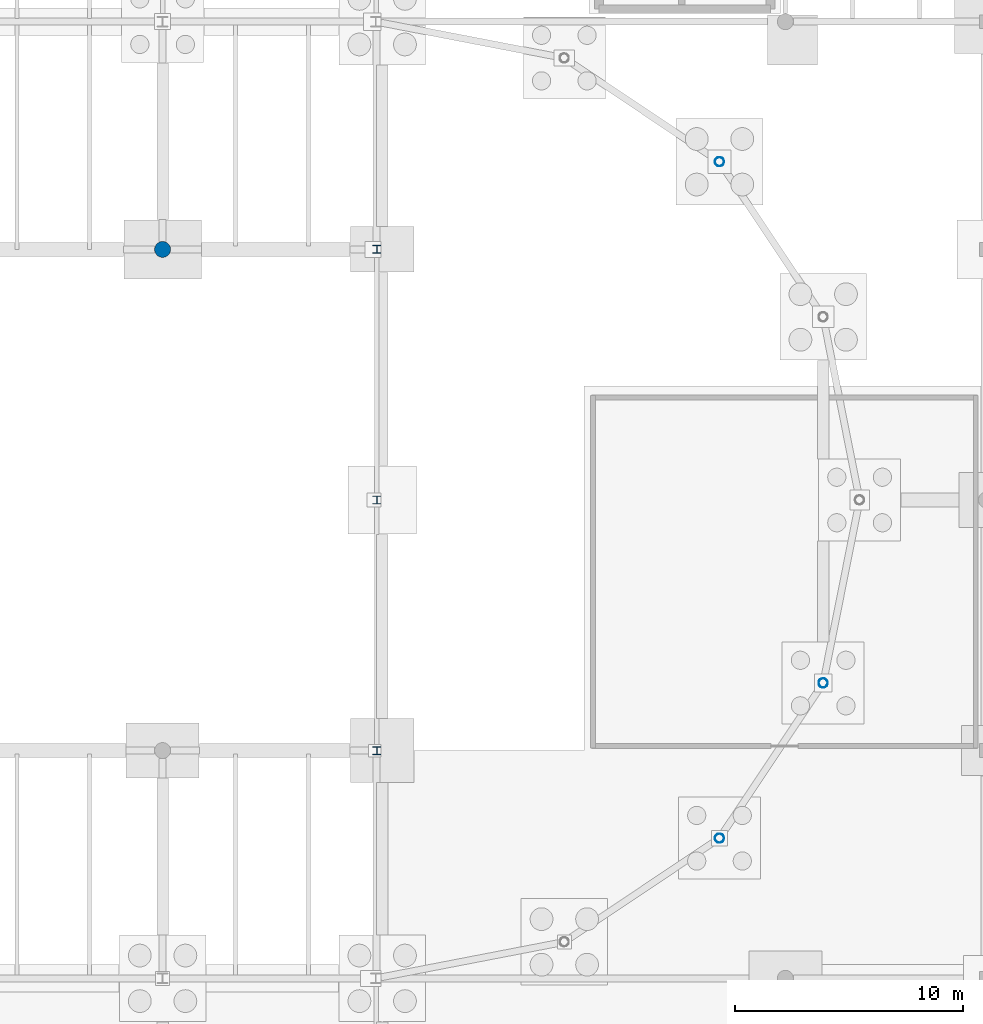
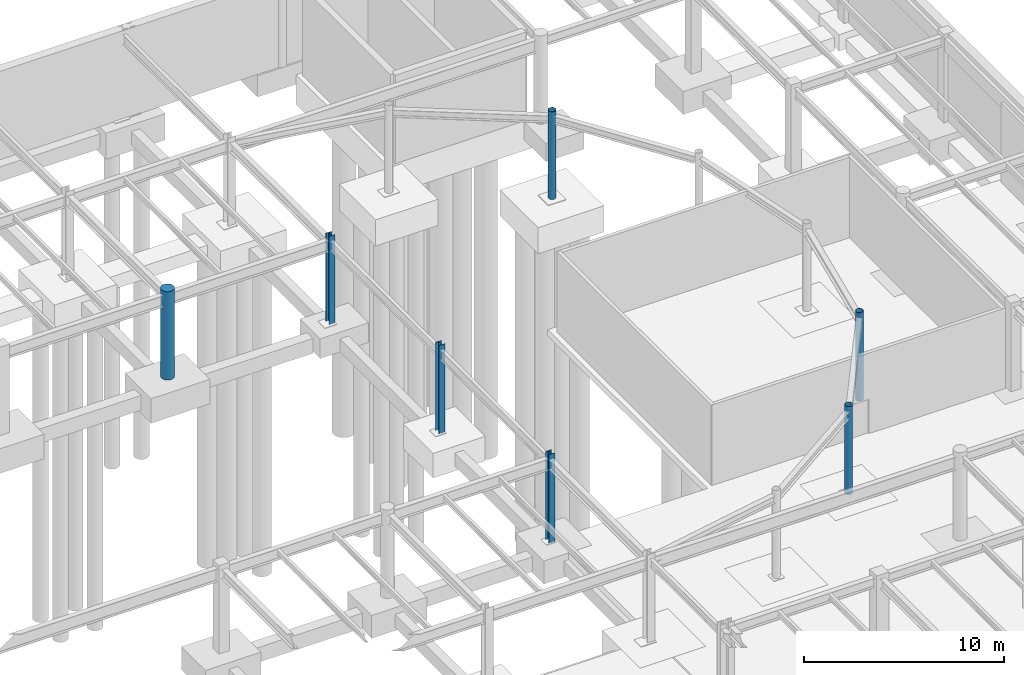
# One storey, part 27 of 50: 7 columns.
"""IFC4 building model written with IfcOpenShell, lengths in metres."""

import ifcopenshell
import ifcopenshell.guid

model = None  # the IFC model being written
_history = None  # IfcOwnerHistory: only IFC2X3 demands one
_inside = {}  # id of a spatial element -> (the spatial element, [elements in it])
_under = {}  # id of a project, library or spatial element -> (it, [spatial elements below it])
_declared = {}  # id of a project -> (the project, [libraries it declares])
_typed = {}  # id of a type object -> (the type object, [elements of that type])
_made_of = {}  # id of a material, layer set ... -> (it, [elements and type objects made of it])


def new_model(schema):
    """Start an empty IFC model of exactly this schema.

    Asked for "IFC4X3", IfcOpenShell would pick the latest addendum, in which some entities
    have other attributes; the version numbers below select the first issue.
    IFC2X3 requires an IfcOwnerHistory on every rooted entity: one is made here for all.
    """
    global model, _history
    if schema == "IFC4X3":
        model = ifcopenshell.file(schema_version=(4, 3, 0, 0))
    else:
        model = ifcopenshell.file(schema=schema)
    _inside.clear()
    _under.clear()
    _declared.clear()
    _typed.clear()
    _made_of.clear()
    _history = None
    if model.schema == "IFC2X3":
        org = make("IfcOrganization", Name="unknown")
        user = make(
            "IfcPersonAndOrganization",
            ThePerson=make("IfcPerson", FamilyName="unknown"),
            TheOrganization=org,
        )
        app = make(
            "IfcApplication",
            ApplicationDeveloper=org,
            Version="unknown",
            ApplicationFullName="unknown",
            ApplicationIdentifier="unknown",
        )
        _history = make(
            "IfcOwnerHistory",
            OwningUser=user,
            OwningApplication=app,
            ChangeAction="ADDED",
            CreationDate=0,
        )
    return model


def make(cls, **values):
    """One entity of the class cls with the attributes given. An attribute that is None is left unset."""
    return model.create_entity(
        cls, **{name: value for name, value in values.items() if value is not None}
    )


def rooted(cls, **values):
    """An entity with a GlobalId (a new one), such as an element, a storey or a relation."""
    return make(cls, GlobalId=ifcopenshell.guid.new(), OwnerHistory=_history, **values)


def si_unit(unit_type, name, prefix=None):
    """IfcSIUnit, for example si_unit("LENGTHUNIT", "METRE", prefix="MILLI")."""
    return make("IfcSIUnit", UnitType=unit_type, Prefix=prefix, Name=name)


def assignment(units):
    """IfcUnitAssignment: the units of a project."""
    return None if units is None else make("IfcUnitAssignment", Units=units)


def point(xyz):
    """IfcCartesianPoint."""
    return None if xyz is None else make("IfcCartesianPoint", Coordinates=xyz)


def direction(xyz):
    """IfcDirection."""
    return None if xyz is None else make("IfcDirection", DirectionRatios=xyz)


def frame(location, z_axis=None, x_axis=None):
    """IfcAxis2Placement3D, a coordinate frame: its origin and axes. An axis left out is left unset."""
    return make(
        "IfcAxis2Placement3D",
        Location=point(location),
        Axis=direction(z_axis),
        RefDirection=direction(x_axis),
    )


def frame_2d(location, x_axis=None):
    """IfcAxis2Placement2D, a coordinate frame in the plane: its origin and x axis."""
    return make(
        "IfcAxis2Placement2D", Location=point(location), RefDirection=direction(x_axis)
    )


def origin():
    """The frame at (0, 0, 0) with its axes left unset."""
    return frame((0.0, 0.0, 0.0))


def origin_2d():
    """The frame at (0, 0) in the plane with its x axis left unset."""
    return frame_2d((0.0, 0.0))


def place(relative_to, where):
    """IfcLocalPlacement: puts the frame where relative to a parent placement (None: the world)."""
    return make(
        "IfcLocalPlacement", PlacementRelTo=relative_to, RelativePlacement=where
    )


def context(
    kind, dimensions, precision=None, world=None, true_north=None, identifier=None
):
    """IfcGeometricRepresentationContext, for example the 3D "Model" context."""
    return make(
        "IfcGeometricRepresentationContext",
        ContextIdentifier=identifier,
        ContextType=kind,
        CoordinateSpaceDimension=dimensions,
        Precision=precision,
        WorldCoordinateSystem=world,
        TrueNorth=true_north,
    )


def subcontext(parent, identifier, kind, view, scale=None):
    """IfcGeometricRepresentationSubContext, for example "Body" below "Model"."""
    return make(
        "IfcGeometricRepresentationSubContext",
        ContextIdentifier=identifier,
        ContextType=kind,
        ParentContext=parent,
        TargetScale=scale,
        TargetView=view,
    )


def project(units=None, contexts=None):
    """IfcProject with its units and contexts."""
    return rooted(
        "IfcProject",
        Name="project",
        RepresentationContexts=contexts,
        UnitsInContext=assignment(units),
    )


def spatial(cls, under=None, at=None, **own):
    """A site, building, storey or space (cls), placed at a placement, below another one or the project."""
    s = rooted(cls, ObjectPlacement=at, **own)
    if under is not None:
        _under.setdefault(under.id(), (under, []))[1].append(s)
    return s


def profile(cls, at=None, kind="AREA", **sizes):
    """A parametric profile (cls). Its sizes go by their IFC names, for example OverallWidth=200.0."""
    return make(cls, ProfileType=kind, Position=at, **sizes)


def circle(**sizes):
    """IfcCircleProfileDef."""
    return profile("IfcCircleProfileDef", **sizes)


def hollow_circle(**sizes):
    """IfcCircleHollowProfileDef."""
    return profile("IfcCircleHollowProfileDef", **sizes)


def i_section(**sizes):
    """IfcIShapeProfileDef."""
    return profile("IfcIShapeProfileDef", **sizes)


def extrude(swept, where, along, depth):
    """IfcExtrudedAreaSolid: the profile swept, set in the frame where, extruded along a direction by depth."""
    return make(
        "IfcExtrudedAreaSolid",
        SweptArea=swept,
        Position=where,
        ExtrudedDirection=direction(along),
        Depth=depth,
    )


def shape(context_of_items, identifier, shape_type, items):
    """IfcShapeRepresentation: the items that make up one representation, for example the "Body"."""
    return make(
        "IfcShapeRepresentation",
        ContextOfItems=context_of_items,
        RepresentationIdentifier=identifier,
        RepresentationType=shape_type,
        Items=items,
    )


def material(Name=None, Category=None):
    """IfcMaterial."""
    return make("IfcMaterial", Name=Name, Category=Category)


def material_profile(
    of_material, cross_section, Name=None, Category=None, Priority=None
):
    """IfcMaterialProfile: a cross section and its material."""
    return make(
        "IfcMaterialProfile",
        Name=Name,
        Material=of_material,
        Profile=cross_section,
        Priority=Priority,
        Category=Category,
    )


def profile_set(profiles, Name=None, composite=None):
    """IfcMaterialProfileSet."""
    return make(
        "IfcMaterialProfileSet",
        Name=Name,
        MaterialProfiles=profiles,
        CompositeProfile=composite,
    )


def made_of(thing, what):
    """Note that an element or type object is made of a material, layer set ...; save() writes the relation."""
    if what is not None:
        _made_of.setdefault(what.id(), (what, []))[1].append(thing)
    return thing


def type_object(cls, material=None, **own):
    """A type object (cls), such as IfcWallType, which elements share."""
    return made_of(rooted(cls, **own), material)


def element(
    cls,
    number,
    at=None,
    inside=None,
    cuts=None,
    type_object=None,
    material=None,
    context=None,
    identifier="Body",
    shape_type=None,
    held_by="IfcProductDefinitionShape",
    body=None,
    shapes=None,
    **own,
):
    """One element of the class cls, such as IfcWall. Its Tag is "e" and its number.

    at: its placement. inside: the storey or other place that contains it. cuts: it is an
    opening in that element (IfcRelVoidsElement). A single representation is given by context,
    identifier, shape_type and body (its items); several are given by shapes. held_by: the class
    of the entity that holds the representations. save() writes the other relations.
    """
    e = rooted(cls, Tag="e%d" % number, ObjectPlacement=at, **own)
    if body is not None:
        shapes = [shape(context, identifier, shape_type, body)]
    if shapes is not None:
        e.Representation = make(held_by, Representations=shapes)
    if inside is not None:
        _inside.setdefault(inside.id(), (inside, []))[1].append(e)
    if cuts is not None:
        rooted(
            "IfcRelVoidsElement", RelatingBuildingElement=cuts, RelatedOpeningElement=e
        )
    if type_object is not None:
        _typed.setdefault(type_object.id(), (type_object, []))[1].append(e)
    return made_of(e, material)


def aggregate(whole, parts):
    """IfcRelAggregates: a whole, such as a stair, and the parts it consists of."""
    return rooted("IfcRelAggregates", RelatingObject=whole, RelatedObjects=parts)


def save(model, path):
    """Write the relations noted so far, then the file.

    IfcRelAggregates (storeys below a building ...), IfcRelContainedInSpatialStructure (elements
    in a storey), IfcRelDefinesByType, IfcRelAssociatesMaterial and IfcRelDeclares: one each for
    every whole, place, type object, material and project.
    """
    for whole, parts in _under.values():
        aggregate(whole, parts)
    for where, things in _inside.values():
        rooted(
            "IfcRelContainedInSpatialStructure",
            RelatedElements=things,
            RelatingStructure=where,
        )
    for kind, things in _typed.values():
        rooted("IfcRelDefinesByType", RelatedObjects=things, RelatingType=kind)
    for what, things in _made_of.values():
        rooted("IfcRelAssociatesMaterial", RelatedObjects=things, RelatingMaterial=what)
    for by, libraries in _declared.values():
        rooted("IfcRelDeclares", RelatingContext=by, RelatedDefinitions=libraries)
    model.write(path)


model = new_model("IFC4")

# Units and contexts
model_context = context("Model", 3, precision=1e-05, world=origin(), true_north=direction((0.0, 1.0)))
body_context = subcontext(model_context, "Body", "Model", "MODEL_VIEW")
ifc_project = project(units=[si_unit("LENGTHUNIT", "METRE"), si_unit("AREAUNIT", "SQUARE_METRE"), si_unit("VOLUMEUNIT", "CUBIC_METRE"), si_unit("PLANEANGLEUNIT", "RADIAN"), si_unit("MASSUNIT", "GRAM", prefix="KILO")], contexts=[model_context])

# Site, building, storey
site_placement = place(None, origin())
site = spatial("IfcSite", under=ifc_project, at=site_placement, CompositionType="ELEMENT")
building_placement = place(site_placement, origin())
building = spatial("IfcBuilding", under=site, at=building_placement, Name="Yeouljin Market Hall", CompositionType="ELEMENT")
storey_placement = place(building_placement, frame((0.0, 0.0, -5.39990234375)))
storey = spatial("IfcBuildingStorey", under=building, at=storey_placement, Name="B1", CompositionType="ELEMENT", Elevation=-5.39990234375)

# Columns
ifc_material_1 = material(Name="Steel SM355", Category="steel")
ifc_material_profile_1 = material_profile(ifc_material_1, hollow_circle(Radius=0.203125, WallThickness=0.011962890625, at=origin_2d()), Name="CHS-406.4x12")
ifc_profile_set_1 = profile_set([ifc_material_profile_1], Name="Steel SM355")
column_type_1 = type_object("IfcColumnType", Name="Col_CHS-406.4x12", PredefinedType="COLUMN", material=ifc_profile_set_1)
for number, where, z_axis, x_axis, name in (
    (1, (155.84912109375, 42.15087890625, 0.0), (0.0, 0.0, 1.0), (1.0, 0.0, 0.0), "Column AP-E04 (B1)"),
    (2, (160.401611328125, 48.963623046875, 0.0), (0.0, 0.0, 1.0), (1.0, 0.0, 0.0), "Column AP-E06 (B1)"),
    (3, (155.84912109375, 71.84912109375, 0.0), (0.0, 0.0, 1.0), (1.0, 0.0, 0.0), "Column AP-E12 (B1)"),
):
    element("IfcColumn", number, at=place(storey_placement, frame(where, z_axis=z_axis, x_axis=x_axis)), inside=storey, type_object=column_type_1, Name=name, PredefinedType="COLUMN", context=body_context, shape_type="SweptSolid", body=[
        extrude(hollow_circle(Radius=0.203125, WallThickness=0.011962890625, at=origin_2d()), origin(), (0.0, 0.0, 1.0), 5.39990234375),
    ])
ifc_material_2 = material(Name="Steel SM355", Category="steel")
ifc_material_profile_2 = material_profile(ifc_material_2, i_section(OverallWidth=0.35009765625, OverallDepth=0.35009765625, WebThickness=0.011962890625, FlangeThickness=0.01904296875, FilletRadius=0.02001953125, at=origin_2d()), Name="H-350x350x12x19")
ifc_profile_set_2 = profile_set([ifc_material_profile_2], Name="Steel SM355")
column_type_2 = type_object("IfcColumnType", Name="Col_H-350x350x12x19", PredefinedType="COLUMN", material=ifc_profile_set_2)
for number, where, z_axis, x_axis, name in (
    (4, (140.81005859375, 46.0, 0.0), (0.0, 0.0, 1.0), (1.0, 0.0, 0.0), "Column G-16-05 (B1)"),
    (5, (140.81005859375, 57.0, 0.0), (0.0, 0.0, 1.0), (1.0, 0.0, 0.0), "Column G-16-06 (B1)"),
    (6, (140.81005859375, 68.0, 0.0), (0.0, 0.0, 1.0), (1.0, 0.0, 0.0), "Column G-16-07 (B1)"),
):
    element("IfcColumn", number, at=place(storey_placement, frame(where, z_axis=z_axis, x_axis=x_axis)), inside=storey, type_object=column_type_2, Name=name, PredefinedType="COLUMN", context=body_context, shape_type="SweptSolid", body=[
        extrude(i_section(OverallWidth=0.35009765625, OverallDepth=0.35009765625, WebThickness=0.011962890625, FlangeThickness=0.01904296875, FilletRadius=0.02001953125, at=origin_2d()), origin(), (0.0, 0.0, 1.0), 5.39990234375),
    ])
ifc_material_3 = material(Name="Concrete C35/45", Category="concrete")
ifc_material_profile_3 = material_profile(ifc_material_3, circle(Radius=0.35009765625, at=origin_2d()), Name="RC-D700")
ifc_profile_set_3 = profile_set([ifc_material_profile_3], Name="Concrete C35/45")
column_type_3 = type_object("IfcColumnType", Name="Col_RC-D700", PredefinedType="COLUMN", material=ifc_profile_set_3)
column_placement = place(storey_placement, frame((131.39990234375, 68.0, 0.0), z_axis=(0.0, 0.0, 1.0), x_axis=(1.0, 0.0, 0.0)))
element("IfcColumn", 7, at=column_placement, inside=storey, type_object=column_type_3, Name="Column G-15-07 (B1)", PredefinedType="COLUMN", context=body_context, shape_type="SweptSolid", body=[
    extrude(circle(Radius=0.35009765625, at=origin_2d()), origin(), (0.0, 0.0, 1.0), 5.39990234375),
])

save(model, "model.ifc")
